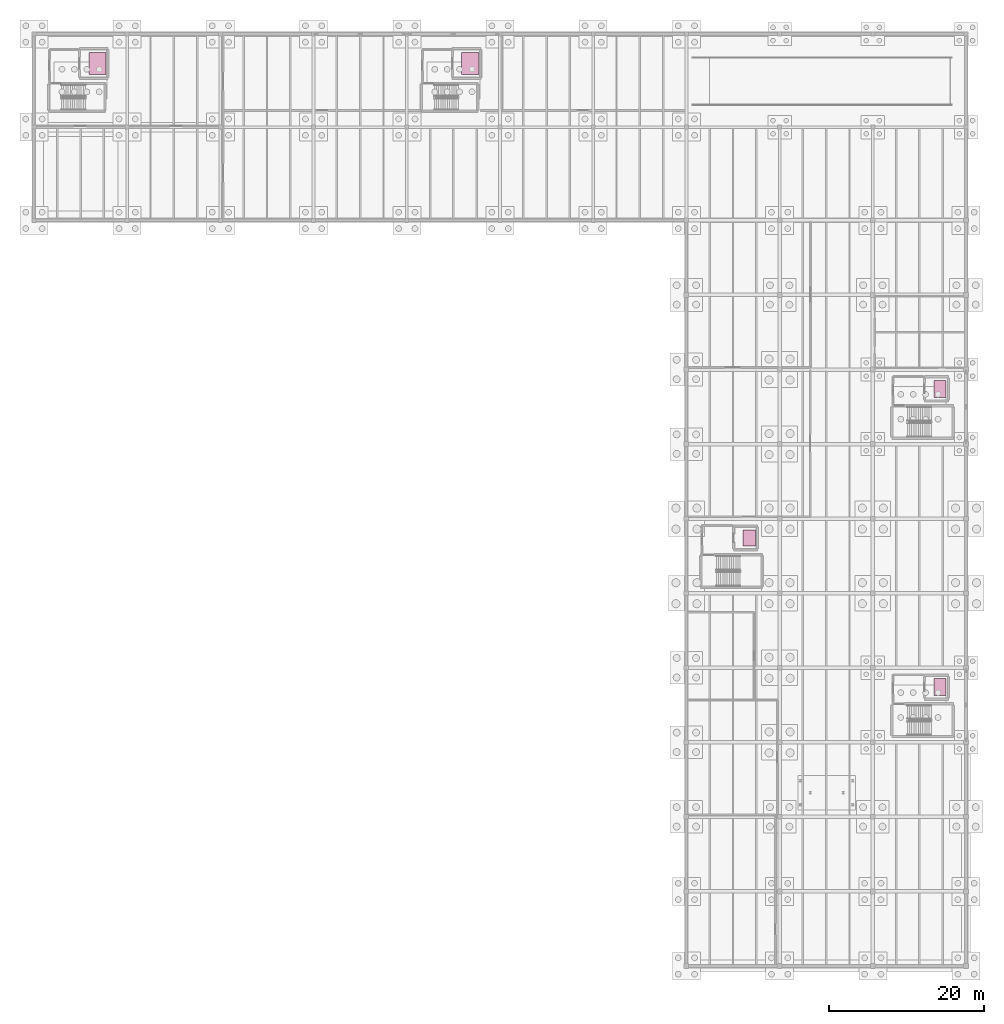
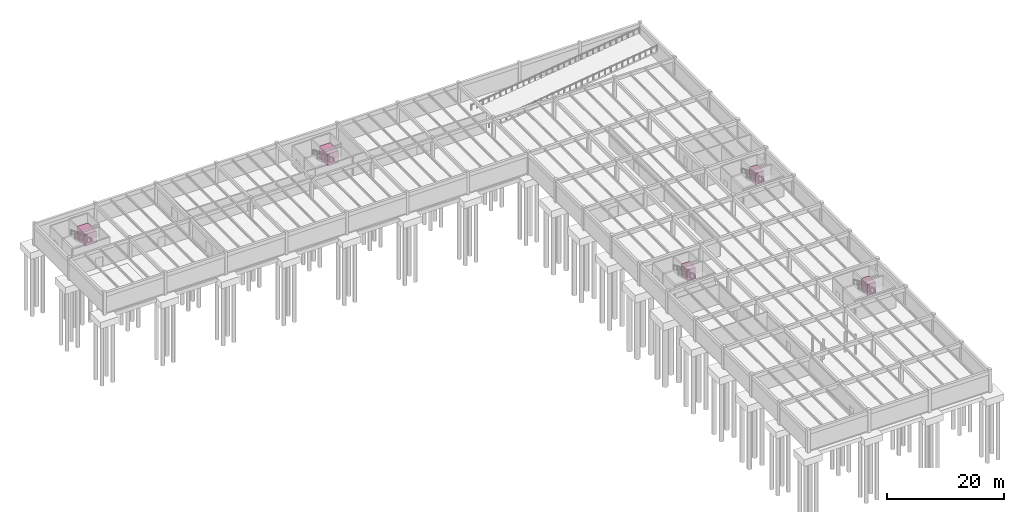
# One storey, part 20 of 20: 5 transport elements.
"""IFC4 building model written with IfcOpenShell, lengths in metres."""

from ifc_helpers import new_model, si_unit, direction, frame, origin, origin_2d, place, context, subcontext, project, spatial, rectangle, extrude, material, type_object, element, save


model = new_model("IFC4")

# Units and contexts
model_context = context("Model", 3, precision=1e-05, world=origin(), true_north=direction((0.0, 1.0)))
body_context = subcontext(model_context, "Body", "Model", "MODEL_VIEW")
ifc_project = project(units=[si_unit("LENGTHUNIT", "METRE"), si_unit("AREAUNIT", "SQUARE_METRE"), si_unit("VOLUMEUNIT", "CUBIC_METRE"), si_unit("PLANEANGLEUNIT", "RADIAN"), si_unit("MASSUNIT", "GRAM", prefix="KILO")], contexts=[model_context])

# Site, building, storey
site_placement = place(None, origin())
site = spatial("IfcSite", under=ifc_project, at=site_placement, CompositionType="ELEMENT")
building_placement = place(site_placement, origin())
building = spatial("IfcBuilding", under=site, at=building_placement, Name="Pandanus Reach Market Hall", CompositionType="ELEMENT")
storey_placement = place(building_placement, frame((0.0, 0.0, -4.5)))
storey = spatial("IfcBuildingStorey", under=building, at=storey_placement, Name="B1", CompositionType="ELEMENT", Elevation=-4.5)

# Transport elements
ifc_material_1 = material(Name="Brushed stainless steel", Category="steel")
transport_element_type_1 = type_object("IfcTransportElementType", Name="LFT-FF-20", PredefinedType="ELEVATOR", material=ifc_material_1)
for number, where, z_axis, x_axis, name in (
    (1, (176.64990234375, 35.89990234375, 0.0), (0.0, 0.0, 1.0), (1.0, 0.0, 0.0), "Firefighting lift LF-01"),
    (2, (176.64990234375, 74.300048828125, 0.0), (0.0, 0.0, 1.0), (1.0, 0.0, 0.0), "Firefighting lift LF-02"),
):
    element("IfcTransportElement", number, at=place(storey_placement, frame(where, z_axis=z_axis, x_axis=x_axis)), inside=storey, type_object=transport_element_type_1, Name=name, PredefinedType="ELEVATOR", context=body_context, shape_type="SweptSolid", body=[
        extrude(rectangle(XDim=1.60009765625, YDim=2.199951171875, at=origin_2d()), origin(), (0.0, 0.0, 1.0), 2.39990234375),
    ])
ifc_material_2 = material(Name="Heavy-duty stainless steel", Category="steel")
transport_element_type_2 = type_object("IfcTransportElementType", Name="LFT-GD-35", PredefinedType="ELEVATOR", material=ifc_material_2)
for number, where, z_axis, x_axis, name in (
    (3, (68.175048828125, 116.199951171875, 0.0), (0.0, 0.0, 1.0), (1.0, 0.0, 0.0), "Passenger/goods lift LF-05"),
    (4, (116.175048828125, 116.199951171875, 0.0), (0.0, 0.0, 1.0), (1.0, 0.0, 0.0), "Passenger/goods lift LF-06"),
):
    element("IfcTransportElement", number, at=place(storey_placement, frame(where, z_axis=z_axis, x_axis=x_axis)), inside=storey, type_object=transport_element_type_2, Name=name, PredefinedType="ELEVATOR", context=body_context, shape_type="SweptSolid", body=[
        extrude(rectangle(XDim=2.199951171875, YDim=2.800048828125, at=origin_2d()), origin(), (0.0, 0.0, 1.0), 2.5),
    ])
transport_element_type_3 = type_object("IfcTransportElementType", Name="LFT-PS-16", PredefinedType="ELEVATOR", material=ifc_material_1)
transport_element_placement = place(storey_placement, frame((152.074951171875, 55.10009765625, 0.0), z_axis=(0.0, 0.0, 1.0), x_axis=(1.0, 0.0, 0.0)))
element("IfcTransportElement", 5, at=transport_element_placement, inside=storey, type_object=transport_element_type_3, Name="Passenger/goods lift LF-03", PredefinedType="ELEVATOR", context=body_context, shape_type="SweptSolid", body=[
    extrude(rectangle(XDim=1.60009765625, YDim=2.10009765625, at=origin_2d()), origin(), (0.0, 0.0, 1.0), 2.39990234375),
])

save(model, "model.ifc")
